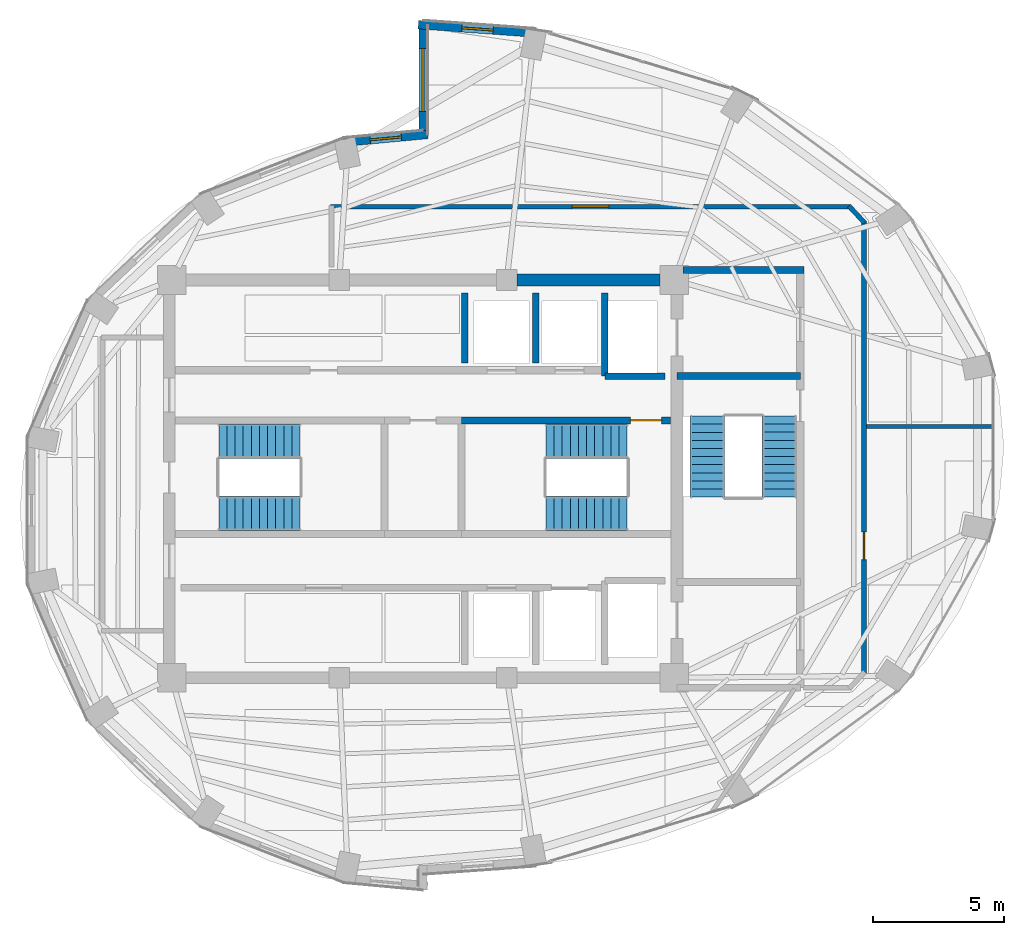
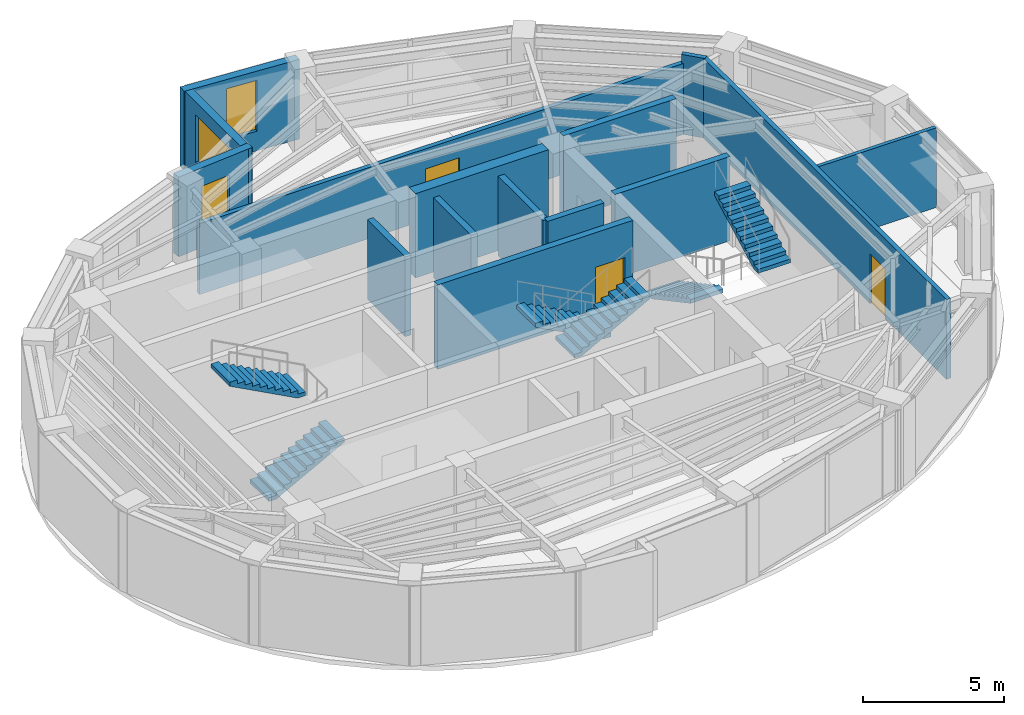
# One storey, part 10 of 12: 15 walls, 6 stair flights, 3 doors, 3 windows, 6 openings, 3 elements without a shape of their own.
"""IFC4 building model written with IfcOpenShell, lengths in metres."""

from ifc_helpers import new_model, si_unit, direction, frame, frame_2d, origin, place, context, subcontext, project, spatial, polyline, rectangle, outline, extrude, material, layer, layer_set, type_object, element, fill, aggregate, save


model = new_model("IFC4")

# Units and contexts
model_context = context("Model", 3, precision=1e-05, world=origin(), true_north=direction((0.0, 1.0)))
body_context = subcontext(model_context, "Body", "Model", "MODEL_VIEW")
ifc_project = project(units=[si_unit("LENGTHUNIT", "METRE"), si_unit("AREAUNIT", "SQUARE_METRE"), si_unit("VOLUMEUNIT", "CUBIC_METRE"), si_unit("PLANEANGLEUNIT", "RADIAN"), si_unit("MASSUNIT", "GRAM", prefix="KILO")], contexts=[model_context])

# Site, building, storey
site_placement = place(None, origin())
site = spatial("IfcSite", under=ifc_project, at=site_placement, CompositionType="ELEMENT")
building_placement = place(site_placement, origin())
building = spatial("IfcBuilding", under=site, at=building_placement, Name="Lazwardi Medical Tower", CompositionType="ELEMENT")
storey_placement = place(building_placement, frame((0.0, 0.0, 287.85595703125)))
storey = spatial("IfcBuildingStorey", under=building, at=storey_placement, Name="L75", CompositionType="ELEMENT", Elevation=287.85595703125)

# Wall, opening, door
ifc_material_1 = material(Name="Fire-rated gypsum board on steel stud", Category="steel")
ifc_layer_1 = layer(ifc_material_1, 0.179931640625)
ifc_layer_set_1 = layer_set([ifc_layer_1], Name="Fire-rated gypsum board on steel stud")
wall_type_1 = type_object("IfcWallType", Name="WL-COR-180", PredefinedType="PARTITIONING", material=ifc_layer_set_1)
wall_1_placement = place(storey_placement, frame((32.4599609375, 38.39990234375, 0.0), z_axis=(0.0, 0.0, 1.0), x_axis=(1.0, 0.0, 0.0)))
wall_1 = element("IfcWall", 1, at=wall_1_placement, inside=storey, type_object=wall_type_1, Name="L75 Corridor partition 2", PredefinedType="PARTITIONING", context=body_context, shape_type="SweptSolid", body=[
    extrude(rectangle(XDim=19.879150390625, YDim=0.179931640625, at=frame_2d((9.939453125, 0.0))), origin(), (0.0, 0.0, 1.0), 3.072998046875),
])
opening_1_placement = place(wall_1_placement, frame((9.239501953125, 0.0, 0.0)))
opening_1 = element("IfcOpeningElement", 2, at=opening_1_placement, cuts=wall_1, Name="Opening D-L75-009", PredefinedType="OPENING", context=body_context, shape_type="SweptSolid", body=[
    extrude(rectangle(XDim=1.39990234375, YDim=2.199951171875, at=frame_2d((0.699951171875, 1.10009765625))), frame((0.0, 0.099853515625, 0.0), z_axis=(0.0, -1.0, 0.0), x_axis=(1.0, 0.0, 0.0)), (0.0, 0.0, 1.0), 0.199951171875),
])
ifc_material_2 = material(Name="Anti-microbial laminate hospital leaf")
door_type_1 = type_object("IfcDoorType", Name="DR-BED-1400", OperationType="NOTDEFINED", PredefinedType="DOOR", material=ifc_material_2)
door_1_placement = place(opening_1_placement, origin())
door_1 = element("IfcDoor", 3, at=door_1_placement, inside=storey, type_object=door_type_1, Name="L75 Rehabilitation Gymnasium Door 02", OperationType="SINGLE_SWING_RIGHT", OverallHeight=2.199951171875, OverallWidth=1.39990234375, PredefinedType="DOOR", context=body_context, shape_type="SweptSolid", body=[
    extrude(rectangle(XDim=1.39990234375, YDim=2.199951171875, at=frame_2d((0.699951171875, 1.10009765625))), frame((0.0, 0.02490234375, 0.0), z_axis=(0.0, -1.0, 0.0), x_axis=(1.0, 0.0, 0.0)), (0.0, 0.0, 1.0), 0.050048828125),
])
fill(opening_1, door_1)

# Wall
wall_2_placement = place(storey_placement, frame((52.271728515625, 38.42919921875, 0.0), z_axis=(0.0, 0.0, 1.0), x_axis=(0.682475113459, -0.730908831188, 0.0)))
element("IfcWall", 4, at=wall_2_placement, inside=storey, type_object=wall_type_1, Name="L75 Corridor partition 3", PredefinedType="PARTITIONING", context=body_context, shape_type="SweptSolid", body=[
    extrude(rectangle(XDim=0.88720703125, YDim=0.179931640625, at=frame_2d((0.443603515625, 0.0))), origin(), (0.0, 0.0, 1.0), 3.447998046875),
])

# Wall, opening, door
wall_3_placement = place(storey_placement, frame((52.85009765625, 37.85009765625, 0.0), z_axis=(0.0, 0.0, 1.0), x_axis=(0.0, -1.0, 0.0)))
wall_3 = element("IfcWall", 5, at=wall_3_placement, inside=storey, type_object=wall_type_1, Name="L75 Corridor partition 4", PredefinedType="PARTITIONING", context=body_context, shape_type="SweptSolid", body=[
    extrude(rectangle(XDim=17.30029296875, YDim=0.179931640625, at=frame_2d((8.650146484375, 0.0))), origin(), (0.0, 0.0, 1.0), 3.447998046875),
])
opening_2_placement = place(wall_3_placement, frame((11.89111328125, 0.0, 0.0)))
opening_2 = element("IfcOpeningElement", 6, at=opening_2_placement, cuts=wall_3, Name="Opening D-L75-008", PredefinedType="OPENING", context=body_context, shape_type="SweptSolid", body=[
    extrude(rectangle(XDim=1.050048828125, YDim=2.14990234375, at=frame_2d((0.52490234375, 1.074951171875))), frame((0.0, 0.099853515625, 0.0), z_axis=(0.0, -1.0, 0.0), x_axis=(1.0, 0.0, 0.0)), (0.0, 0.0, 1.0), 0.199951171875),
])
door_type_2 = type_object("IfcDoorType", Name="DR-CLN-1050", OperationType="NOTDEFINED", PredefinedType="DOOR", material=ifc_material_2)
door_2_placement = place(opening_2_placement, origin())
door_2 = element("IfcDoor", 7, at=door_2_placement, inside=storey, type_object=door_type_2, Name="L75 Clinical Specialist Office Door 01", OperationType="SINGLE_SWING_LEFT", OverallHeight=2.14990234375, OverallWidth=1.050048828125, PredefinedType="DOOR", context=body_context, shape_type="SweptSolid", body=[
    extrude(rectangle(XDim=1.050048828125, YDim=2.14990234375, at=frame_2d((0.52490234375, 1.074951171875))), frame((0.0, 0.02490234375, 0.0), z_axis=(0.0, -1.0, 0.0), x_axis=(1.0, 0.0, 0.0)), (0.0, 0.0, 1.0), 0.050048828125),
])
fill(opening_2, door_2)

# Wall
ifc_material_3 = material(Name="Concrete C60/75", Category="concrete")
ifc_layer_2 = layer(ifc_material_3, 0.449951171875)
ifc_layer_set_2 = layer_set([ifc_layer_2], Name="Concrete C60/75")
wall_type_2 = type_object("IfcWallType", Name="WL-CORE-450", PredefinedType="SHEAR", material=ifc_layer_set_2)
wall_4_placement = place(storey_placement, frame((39.60009765625, 35.60009765625, 0.0), z_axis=(0.0, 0.0, 1.0), x_axis=(1.0, 0.0, 0.0)))
element("IfcWall", 8, at=wall_4_placement, inside=storey, type_object=wall_type_2, Name="Core wall CW-S4 N3 L75", PredefinedType="SHEAR", context=body_context, shape_type="SweptSolid", body=[
    extrude(rectangle(XDim=5.449951171875, YDim=0.449951171875, at=frame_2d((2.72509765625, 0.0))), origin(), (0.0, 0.0, 1.0), 3.64794921875),
])

# Wall, opening, window
ifc_material_4 = material(Name="Precast concrete C45/55", Category="concrete")
ifc_layer_3 = layer(ifc_material_4, 0.320068359375)
ifc_layer_set_3 = layer_set([ifc_layer_3], Name="Precast concrete C45/55")
wall_type_3 = type_object("IfcWallType", Name="WL-IWAN-320", PredefinedType="SOLIDWALL", material=ifc_layer_set_3)
wall_5_placement = place(storey_placement, frame((40.349609375, 45.0263671875, 0.0), z_axis=(0.0, 0.0, 1.0), x_axis=(-0.997412917451, 0.071885131294, 0.0)))
wall_5 = element("IfcWall", 9, at=wall_5_placement, inside=storey, type_object=wall_type_3, Name="L75 Iwan Portal Return Wall NE_ret", PredefinedType="SOLIDWALL", context=body_context, shape_type="SweptSolid", body=[
    extrude(rectangle(XDim=4.540771484375, YDim=0.320068359375, at=frame_2d((2.2705078125, 0.0))), origin(), (0.0, 0.0, 1.0), 3.447998046875),
])
opening_3_placement = place(wall_5_placement, frame((1.67041015625, 0.0, 0.85009765625)))
opening_3 = element("IfcOpeningElement", 10, at=opening_3_placement, cuts=wall_5, Name="Opening WN-01", PredefinedType="OPENING", context=body_context, shape_type="SweptSolid", body=[
    extrude(rectangle(XDim=1.199951171875, YDim=2.199951171875, at=frame_2d((0.60009765625, 1.10009765625))), frame((0.0, 0.169921875, 0.0), z_axis=(0.0, -1.0, 0.0), x_axis=(1.0, 0.0, 0.0)), (0.0, 0.0, 1.0), 0.340087890625),
])
ifc_material_5 = material(Name="Low-e bronze solar control double glazing", Category="glass")
window_type_1 = type_object("IfcWindowType", Name="WIN-IW-1200", PartitioningType="SINGLE_PANEL", PredefinedType="WINDOW", material=ifc_material_5)
window_1_placement = place(opening_3_placement, origin())
window_1 = element("IfcWindow", 11, at=window_1_placement, inside=storey, type_object=window_type_1, Name="L75 Iwan Slot Window NE_ret", OverallHeight=2.199951171875, OverallWidth=1.199951171875, PartitioningType="SINGLE_PANEL", PredefinedType="WINDOW", context=body_context, shape_type="SweptSolid", body=[
    extrude(rectangle(XDim=1.199951171875, YDim=2.199951171875, at=frame_2d((0.60009765625, 1.10009765625))), frame((0.0, 0.030029296875, 0.0), z_axis=(0.0, -1.0, 0.0), x_axis=(1.0, 0.0, 0.0)), (0.0, 0.0, 1.0), 0.06005859375),
])
fill(opening_3, window_1)

wall_6_placement = place(storey_placement, frame((36.178955078125, 41.156494140625, 0.0), z_axis=(0.0, 0.0, 1.0), x_axis=(-0.995736155144, -0.092247001792, 0.0)))
wall_6 = element("IfcWall", 12, at=wall_6_placement, inside=storey, type_object=wall_type_3, Name="L75 Iwan Portal Return Wall NW_ret", PredefinedType="SOLIDWALL", context=body_context, shape_type="SweptSolid", body=[
    extrude(rectangle(XDim=3.215576171875, YDim=0.320068359375, at=frame_2d((1.60791015625, 0.0))), origin(), (0.0, 0.0, 1.0), 3.447998046875),
])
opening_4_placement = place(wall_6_placement, frame((1.0078125, 0.0, 0.85009765625)))
opening_4 = element("IfcOpeningElement", 13, at=opening_4_placement, cuts=wall_6, Name="Opening WN-04", PredefinedType="OPENING", context=body_context, shape_type="SweptSolid", body=[
    extrude(rectangle(XDim=1.199951171875, YDim=1.800048828125, at=frame_2d((0.60009765625, 0.89990234375))), frame((0.0, 0.169921875, 0.0), z_axis=(0.0, -1.0, 0.0), x_axis=(1.0, 0.0, 0.0)), (0.0, 0.0, 1.0), 0.340087890625),
])
window_type_2 = type_object("IfcWindowType", Name="WIN-DRUM-1200", PartitioningType="SINGLE_PANEL", PredefinedType="WINDOW", material=ifc_material_5)
window_2_placement = place(opening_4_placement, origin())
window_2 = element("IfcWindow", 14, at=window_2_placement, inside=storey, type_object=window_type_2, Name="L75 Iwan Slot Window NW_ret", OverallHeight=1.800048828125, OverallWidth=1.199951171875, PartitioningType="SINGLE_PANEL", PredefinedType="WINDOW", context=body_context, shape_type="SweptSolid", body=[
    extrude(rectangle(XDim=1.199951171875, YDim=1.800048828125, at=frame_2d((0.60009765625, 0.89990234375))), frame((0.0, 0.030029296875, 0.0), z_axis=(0.0, -1.0, 0.0), x_axis=(1.0, 0.0, 0.0)), (0.0, 0.0, 1.0), 0.06005859375),
])
fill(opening_4, window_2)

wall_7_placement = place(storey_placement, frame((36.0, 45.5, 0.0), z_axis=(0.0, 0.0, 1.0), x_axis=(0.0, -1.0, 0.0)))
wall_7 = element("IfcWall", 15, at=wall_7_placement, inside=storey, type_object=wall_type_3, Name="L75 Turquoise Tilework Iwan Seam Wall N_seam", PredefinedType="SOLIDWALL", context=body_context, shape_type="SweptSolid", body=[
    extrude(rectangle(XDim=4.52001953125, YDim=0.320068359375, at=frame_2d((2.260009765625, 0.0))), origin(), (0.0, 0.0, 1.0), 3.447998046875),
])
opening_5_placement = place(wall_7_placement, frame((1.06005859375, 0.0, 0.840087890625)))
opening_5 = element("IfcOpeningElement", 16, at=opening_5_placement, cuts=wall_7, Name="Opening WN-02", PredefinedType="OPENING", context=body_context, shape_type="SweptSolid", body=[
    extrude(rectangle(XDim=2.39990234375, YDim=2.0400390625, at=frame_2d((1.199951171875, 1.02001953125))), frame((0.0, 0.169921875, 0.0), z_axis=(0.0, -1.0, 0.0), x_axis=(1.0, 0.0, 0.0)), (0.0, 0.0, 1.0), 0.340087890625),
])
window_type_3 = type_object("IfcWindowType", Name="WIN-IW-2400", PartitioningType="SINGLE_PANEL", PredefinedType="WINDOW", material=ifc_material_5)
window_3_placement = place(opening_5_placement, origin())
window_3 = element("IfcWindow", 17, at=window_3_placement, inside=storey, type_object=window_type_3, Name="L75 Iwan Seam Window N_seam", OverallHeight=2.0400390625, OverallWidth=2.39990234375, PartitioningType="SINGLE_PANEL", PredefinedType="WINDOW", context=body_context, shape_type="SweptSolid", body=[
    extrude(rectangle(XDim=2.39990234375, YDim=2.0400390625, at=frame_2d((1.199951171875, 1.02001953125))), frame((0.0, 0.030029296875, 0.0), z_axis=(0.0, -1.0, 0.0), x_axis=(1.0, 0.0, 0.0)), (0.0, 0.0, 1.0), 0.06005859375),
])
fill(opening_5, window_3)

# Walls
ifc_material_6 = material(Name="Autoclaved aerated concrete blockwork", Category="masonry")
ifc_layer_4 = layer(ifc_material_6, 0.25)
ifc_layer_set_4 = layer_set([ifc_layer_4], Name="Autoclaved aerated concrete blockwork")
wall_type_4 = type_object("IfcWallType", Name="WL-SHAFT-250", PredefinedType="SOLIDWALL", material=ifc_layer_set_4)
wall_8_placement = place(storey_placement, frame((42.949951171875, 31.919921875, 0.0), z_axis=(0.0, 0.0, 1.0), x_axis=(0.0, 1.0, 0.0)))
element("IfcWall", 18, at=wall_8_placement, inside=storey, type_object=wall_type_4, Name="L75 FL-01 West shaft wall", PredefinedType="SOLIDWALL", context=body_context, shape_type="SweptSolid", body=[
    extrude(rectangle(XDim=3.18017578125, YDim=0.25, at=frame_2d((1.590087890625, 0.0))), origin(), (0.0, 0.0, 1.0), 3.447998046875),
])
wall_9_placement = place(storey_placement, frame((42.949951171875, 31.919921875, 0.0), z_axis=(0.0, 0.0, 1.0), x_axis=(1.0, 0.0, 0.0)))
element("IfcWall", 19, at=wall_9_placement, inside=storey, type_object=wall_type_4, Name="L75 FL-01 South shaft wall", PredefinedType="SOLIDWALL", context=body_context, shape_type="SweptSolid", body=[
    extrude(rectangle(XDim=2.300048828125, YDim=0.25, at=frame_2d((1.14990234375, 0.0))), origin(), (0.0, 0.0, 1.0), 3.447998046875),
])
for number, where, z_axis, x_axis, name in (
    (20, (37.60009765625, 32.419921875, 0.0), (0.0, 0.0, 1.0), (0.0, 1.0, 0.0), "L75 North hoistway divider"),
    (21, (40.300048828125, 32.419921875, 0.0), (0.0, 0.0, 1.0), (0.0, 1.0, 0.0), "L75 North hoistway divider"),
):
    element("IfcWall", number, at=place(storey_placement, frame(where, z_axis=z_axis, x_axis=x_axis)), inside=storey, type_object=wall_type_4, Name=name, PredefinedType="SOLIDWALL", context=body_context, shape_type="SweptSolid", body=[
        extrude(rectangle(XDim=2.68017578125, YDim=0.25, at=frame_2d((1.340087890625, 0.0))), origin(), (0.0, 0.0, 1.0), 3.447998046875),
    ])

# Wall, opening, door
ifc_material_7 = material(Name="Concrete C50/60", Category="concrete")
ifc_layer_5 = layer(ifc_material_7, 0.27001953125)
ifc_layer_set_5 = layer_set([ifc_layer_5], Name="Concrete C50/60")
wall_type_5 = type_object("IfcWallType", Name="WL-STR-250", PredefinedType="SHEAR", material=ifc_layer_set_5)
wall_10_placement = place(storey_placement, frame((37.465087890625, 30.235107421875, 0.0), z_axis=(0.0, 0.0, 1.0), x_axis=(1.0, 0.0, 0.0)))
wall_10 = element("IfcWall", 22, at=wall_10_placement, inside=storey, type_object=wall_type_5, Name="L75 ST2 North shear shaft wall SW-S1", PredefinedType="SHEAR", context=body_context, shape_type="SweptSolid", body=[
    extrude(rectangle(XDim=7.98486328125, YDim=0.27001953125, at=frame_2d((3.992431640625, 0.0))), origin(), (0.0, 0.0, 1.0), 3.64794921875),
])
opening_6_placement = place(wall_10_placement, frame((6.455078125, 0.0, 0.0)))
opening_6 = element("IfcOpeningElement", 23, at=opening_6_placement, cuts=wall_10, Name="Opening D-L75-011", PredefinedType="OPENING", context=body_context, shape_type="SweptSolid", body=[
    extrude(rectangle(XDim=1.199951171875, YDim=2.14990234375, at=frame_2d((0.60009765625, 1.074951171875))), frame((0.0, 0.14501953125, 0.0), z_axis=(0.0, -1.0, 0.0), x_axis=(1.0, 0.0, 0.0)), (0.0, 0.0, 1.0), 0.2900390625),
])
ifc_material_8 = material(Name="Fire-rated steel leaf and frame", Category="steel")
door_type_3 = type_object("IfcDoorType", Name="DR-STR-1200", OperationType="NOTDEFINED", PredefinedType="DOOR", material=ifc_material_8)
door_3_placement = place(opening_6_placement, origin())
door_3 = element("IfcDoor", 24, at=door_3_placement, inside=storey, type_object=door_type_3, Name="L75 Exit Stair ST2 Door", OperationType="SINGLE_SWING_RIGHT", OverallHeight=2.14990234375, OverallWidth=1.199951171875, PredefinedType="DOOR", context=body_context, shape_type="SweptSolid", body=[
    extrude(rectangle(XDim=1.199951171875, YDim=2.14990234375, at=frame_2d((0.60009765625, 1.074951171875))), frame((0.0, 0.02490234375, 0.0), z_axis=(0.0, -1.0, 0.0), x_axis=(1.0, 0.0, 0.0)), (0.0, 0.0, 1.0), 0.050048828125),
])
fill(opening_6, door_3)

# Walls
wall_11_placement = place(storey_placement, frame((45.925048828125, 35.97998046875, 0.0), z_axis=(0.0, 0.0, 1.0), x_axis=(1.0, 0.0, 0.0)))
element("IfcWall", 25, at=wall_11_placement, inside=storey, type_object=wall_type_5, Name="L75 FFL-N North shear wall SW-S1", PredefinedType="SHEAR", context=body_context, shape_type="SweptSolid", body=[
    extrude(rectangle(XDim=4.625, YDim=0.27001953125, at=frame_2d((2.3125, 0.0))), origin(), (0.0, 0.0, 1.0), 3.64794921875),
])
wall_12_placement = place(storey_placement, frame((45.699951171875, 31.93505859375, 0.0), z_axis=(0.0, 0.0, 1.0), x_axis=(1.0, 0.0, 0.0)))
element("IfcWall", 26, at=wall_12_placement, inside=storey, type_object=wall_type_5, Name="L75 ST3 North shear shaft wall SW-S1", PredefinedType="SHEAR", context=body_context, shape_type="SweptSolid", body=[
    extrude(rectangle(XDim=4.715087890625, YDim=0.27001953125, at=frame_2d((2.357421875, 0.0))), origin(), (0.0, 0.0, 1.0), 3.64794921875),
])
ifc_material_9 = material(Name="Acoustic gypsum board partition")
ifc_layer_6 = layer(ifc_material_9, 0.14990234375)
ifc_layer_set_6 = layer_set([ifc_layer_6], Name="Acoustic gypsum board partition")
wall_type_6 = type_object("IfcWallType", Name="WL-WRD-150", PredefinedType="PARTITIONING", material=ifc_layer_set_6)
wall_13_placement = place(storey_placement, frame((52.93994140625, 30.0, 0.0), z_axis=(0.0, 0.0, 1.0), x_axis=(1.0, 0.0, 0.0)))
element("IfcWall", 27, at=wall_13_placement, inside=storey, type_object=wall_type_6, Name="L75 Room partition 1", PredefinedType="PARTITIONING", context=body_context, shape_type="SweptSolid", body=[
    extrude(rectangle(XDim=4.831787109375, YDim=0.14990234375, at=frame_2d((2.416015625, 0.0))), origin(), (0.0, 0.0, 1.0), 3.447998046875),
])

# Stair, stair flights
ifc_material_10 = material(Name="Concrete C45/55", Category="concrete")
stair_type = type_object("IfcStairType", Name="STR-WRD", PredefinedType="HALF_TURN_STAIR", material=ifc_material_10)
stair_1_placement = place(storey_placement, origin())
stair_1 = element("IfcStair", 28, at=stair_1_placement, inside=storey, type_object=stair_type, Name="L75 Protected Exit Stair ST1", PredefinedType="HALF_TURN_STAIR")
stair_flight_type = type_object("IfcStairFlightType", Name="FLT-WRD", PredefinedType="STRAIGHT", material=ifc_material_10)
stair_flight_1_placement = place(storey_placement, frame((28.199951171875, 26.679931640625, 0.0), z_axis=(0.0, 0.0, 1.0), x_axis=(1.0, 0.0, 0.0)))
stair_flight_1 = element("IfcStairFlight", 29, at=stair_flight_1_placement, type_object=stair_flight_type, Name="ST1 flight 1", NumberOfRisers=11, NumberOfTreads=10, PredefinedType="STRAIGHT", RiserHeight=0.165818182, TreadLength=0.31, context=body_context, shape_type="SweptSolid", body=[
    extrude(outline(polyline([(0.0, 0.0), (0.0, 0.165771484375), (0.31005859375, 0.165771484375), (0.31005859375, 0.33154296875), (0.6201171875, 0.33154296875), (0.6201171875, 0.49755859375), (0.929931640625, 0.49755859375), (0.929931640625, 0.663330078125), (1.239990234375, 0.663330078125), (1.239990234375, 0.8291015625), (1.550048828125, 0.8291015625), (1.550048828125, 0.994873046875), (1.860107421875, 0.994873046875), (1.860107421875, 1.16064453125), (2.169921875, 1.16064453125), (2.169921875, 1.32666015625), (2.47998046875, 1.32666015625), (2.47998046875, 1.492431640625), (2.7900390625, 1.492431640625), (2.7900390625, 1.658203125), (3.10009765625, 1.658203125), (3.10009765625, 1.823974609375), (3.10009765625, 1.48828125), (0.31787109375, 0.0), (0.0, 0.0)])), frame((0.0, 0.66015625, 0.0), z_axis=(0.0, -1.0, 0.0), x_axis=(1.0, 0.0, 0.0)), (0.0, 0.0, 1.0), 1.320068359375),
])
stair_flight_2_placement = place(storey_placement, frame((31.300048828125, 29.43994140625, 1.823974609375), z_axis=(0.0, 0.0, 1.0), x_axis=(-1.0, 0.0, 0.0)))
stair_flight_2 = element("IfcStairFlight", 30, at=stair_flight_2_placement, type_object=stair_flight_type, Name="ST1 flight 2", NumberOfRisers=11, NumberOfTreads=10, PredefinedType="STRAIGHT", RiserHeight=0.165818182, TreadLength=0.31, context=body_context, shape_type="SweptSolid", body=[
    extrude(outline(polyline([(0.0, 0.0), (0.0, 0.165771484375), (0.31005859375, 0.165771484375), (0.31005859375, 0.33154296875), (0.6201171875, 0.33154296875), (0.6201171875, 0.49755859375), (0.929931640625, 0.49755859375), (0.929931640625, 0.663330078125), (1.239990234375, 0.663330078125), (1.239990234375, 0.8291015625), (1.550048828125, 0.8291015625), (1.550048828125, 0.994873046875), (1.860107421875, 0.994873046875), (1.860107421875, 1.16064453125), (2.169921875, 1.16064453125), (2.169921875, 1.32666015625), (2.47998046875, 1.32666015625), (2.47998046875, 1.492431640625), (2.7900390625, 1.492431640625), (2.7900390625, 1.658203125), (3.10009765625, 1.658203125), (3.10009765625, 1.823974609375), (3.10009765625, 1.48828125), (0.31787109375, 0.0), (0.0, 0.0)])), frame((0.0, 0.66015625, 0.0), z_axis=(0.0, -1.0, 0.0), x_axis=(1.0, 0.0, 0.0)), (0.0, 0.0, 1.0), 1.320068359375),
])
aggregate(stair_1, [stair_flight_1, stair_flight_2])

stair_2_placement = place(storey_placement, origin())
stair_2 = element("IfcStair", 31, at=stair_2_placement, inside=storey, type_object=stair_type, Name="L75 Protected Exit Stair ST2", PredefinedType="HALF_TURN_STAIR")
stair_flight_3_placement = place(storey_placement, frame((43.800048828125, 29.43994140625, 0.0), z_axis=(0.0, 0.0, 1.0), x_axis=(-1.0, 0.0, 0.0)))
stair_flight_3 = element("IfcStairFlight", 32, at=stair_flight_3_placement, type_object=stair_flight_type, Name="ST2 flight 1", NumberOfRisers=11, NumberOfTreads=10, PredefinedType="STRAIGHT", RiserHeight=0.165818182, TreadLength=0.31, context=body_context, shape_type="SweptSolid", body=[
    extrude(outline(polyline([(0.0, 0.0), (0.0, 0.165771484375), (0.31005859375, 0.165771484375), (0.31005859375, 0.33154296875), (0.6201171875, 0.33154296875), (0.6201171875, 0.49755859375), (0.929931640625, 0.49755859375), (0.929931640625, 0.663330078125), (1.239990234375, 0.663330078125), (1.239990234375, 0.8291015625), (1.550048828125, 0.8291015625), (1.550048828125, 0.994873046875), (1.860107421875, 0.994873046875), (1.860107421875, 1.16064453125), (2.169921875, 1.16064453125), (2.169921875, 1.32666015625), (2.47998046875, 1.32666015625), (2.47998046875, 1.492431640625), (2.7900390625, 1.492431640625), (2.7900390625, 1.658203125), (3.10009765625, 1.658203125), (3.10009765625, 1.823974609375), (3.10009765625, 1.48828125), (0.31787109375, 0.0), (0.0, 0.0)])), frame((0.0, 0.66015625, 0.0), z_axis=(0.0, -1.0, 0.0), x_axis=(1.0, 0.0, 0.0)), (0.0, 0.0, 1.0), 1.320068359375),
])
stair_flight_4_placement = place(storey_placement, frame((40.699951171875, 26.679931640625, 1.823974609375), z_axis=(0.0, 0.0, 1.0), x_axis=(1.0, 0.0, 0.0)))
stair_flight_4 = element("IfcStairFlight", 33, at=stair_flight_4_placement, type_object=stair_flight_type, Name="ST2 flight 2", NumberOfRisers=11, NumberOfTreads=10, PredefinedType="STRAIGHT", RiserHeight=0.165818182, TreadLength=0.31, context=body_context, shape_type="SweptSolid", body=[
    extrude(outline(polyline([(0.0, 0.0), (0.0, 0.165771484375), (0.31005859375, 0.165771484375), (0.31005859375, 0.33154296875), (0.6201171875, 0.33154296875), (0.6201171875, 0.49755859375), (0.929931640625, 0.49755859375), (0.929931640625, 0.663330078125), (1.239990234375, 0.663330078125), (1.239990234375, 0.8291015625), (1.550048828125, 0.8291015625), (1.550048828125, 0.994873046875), (1.860107421875, 0.994873046875), (1.860107421875, 1.16064453125), (2.169921875, 1.16064453125), (2.169921875, 1.32666015625), (2.47998046875, 1.32666015625), (2.47998046875, 1.492431640625), (2.7900390625, 1.492431640625), (2.7900390625, 1.658203125), (3.10009765625, 1.658203125), (3.10009765625, 1.823974609375), (3.10009765625, 1.48828125), (0.31787109375, 0.0), (0.0, 0.0)])), frame((0.0, 0.66015625, 0.0), z_axis=(0.0, -1.0, 0.0), x_axis=(1.0, 0.0, 0.0)), (0.0, 0.0, 1.0), 1.320068359375),
])
aggregate(stair_2, [stair_flight_3, stair_flight_4])

stair_3_placement = place(storey_placement, origin())
stair_3 = element("IfcStair", 34, at=stair_3_placement, inside=storey, type_object=stair_type, Name="L75 Protected Exit Stair ST3", PredefinedType="HALF_TURN_STAIR")
stair_flight_5_placement = place(storey_placement, frame((46.860107421875, 30.39990234375, 0.0), z_axis=(0.0, 0.0, 1.0), x_axis=(0.0, -1.0, 0.0)))
stair_flight_5 = element("IfcStairFlight", 35, at=stair_flight_5_placement, type_object=stair_flight_type, Name="ST3 flight 1", NumberOfRisers=11, NumberOfTreads=10, PredefinedType="STRAIGHT", RiserHeight=0.165818182, TreadLength=0.31, context=body_context, shape_type="SweptSolid", body=[
    extrude(outline(polyline([(0.0, 0.0), (0.0, 0.165771484375), (0.31005859375, 0.165771484375), (0.31005859375, 0.33154296875), (0.6201171875, 0.33154296875), (0.6201171875, 0.49755859375), (0.929931640625, 0.49755859375), (0.929931640625, 0.663330078125), (1.239990234375, 0.663330078125), (1.239990234375, 0.8291015625), (1.550048828125, 0.8291015625), (1.550048828125, 0.994873046875), (1.860107421875, 0.994873046875), (1.860107421875, 1.16064453125), (2.169921875, 1.16064453125), (2.169921875, 1.32666015625), (2.47998046875, 1.32666015625), (2.47998046875, 1.492431640625), (2.7900390625, 1.492431640625), (2.7900390625, 1.658203125), (3.10009765625, 1.658203125), (3.10009765625, 1.823974609375), (3.10009765625, 1.48828125), (0.31787109375, 0.0), (0.0, 0.0)])), frame((0.0, 0.66015625, 0.0), z_axis=(0.0, -1.0, 0.0), x_axis=(1.0, 0.0, 0.0)), (0.0, 0.0, 1.0), 1.320068359375),
])
stair_flight_6_placement = place(storey_placement, frame((49.6201171875, 27.300048828125, 1.823974609375), z_axis=(0.0, 0.0, 1.0), x_axis=(0.0, 1.0, 0.0)))
stair_flight_6 = element("IfcStairFlight", 36, at=stair_flight_6_placement, type_object=stair_flight_type, Name="ST3 flight 2", NumberOfRisers=11, NumberOfTreads=10, PredefinedType="STRAIGHT", RiserHeight=0.165818182, TreadLength=0.31, context=body_context, shape_type="SweptSolid", body=[
    extrude(outline(polyline([(0.0, 0.0), (0.0, 0.165771484375), (0.31005859375, 0.165771484375), (0.31005859375, 0.33154296875), (0.6201171875, 0.33154296875), (0.6201171875, 0.49755859375), (0.929931640625, 0.49755859375), (0.929931640625, 0.663330078125), (1.239990234375, 0.663330078125), (1.239990234375, 0.8291015625), (1.550048828125, 0.8291015625), (1.550048828125, 0.994873046875), (1.860107421875, 0.994873046875), (1.860107421875, 1.16064453125), (2.169921875, 1.16064453125), (2.169921875, 1.32666015625), (2.47998046875, 1.32666015625), (2.47998046875, 1.492431640625), (2.7900390625, 1.492431640625), (2.7900390625, 1.658203125), (3.10009765625, 1.658203125), (3.10009765625, 1.823974609375), (3.10009765625, 1.48828125), (0.31787109375, 0.0), (0.0, 0.0)])), frame((0.0, 0.66015625, 0.0), z_axis=(0.0, -1.0, 0.0), x_axis=(1.0, 0.0, 0.0)), (0.0, 0.0, 1.0), 1.320068359375),
])
aggregate(stair_3, [stair_flight_5, stair_flight_6])

save(model, "model.ifc")
